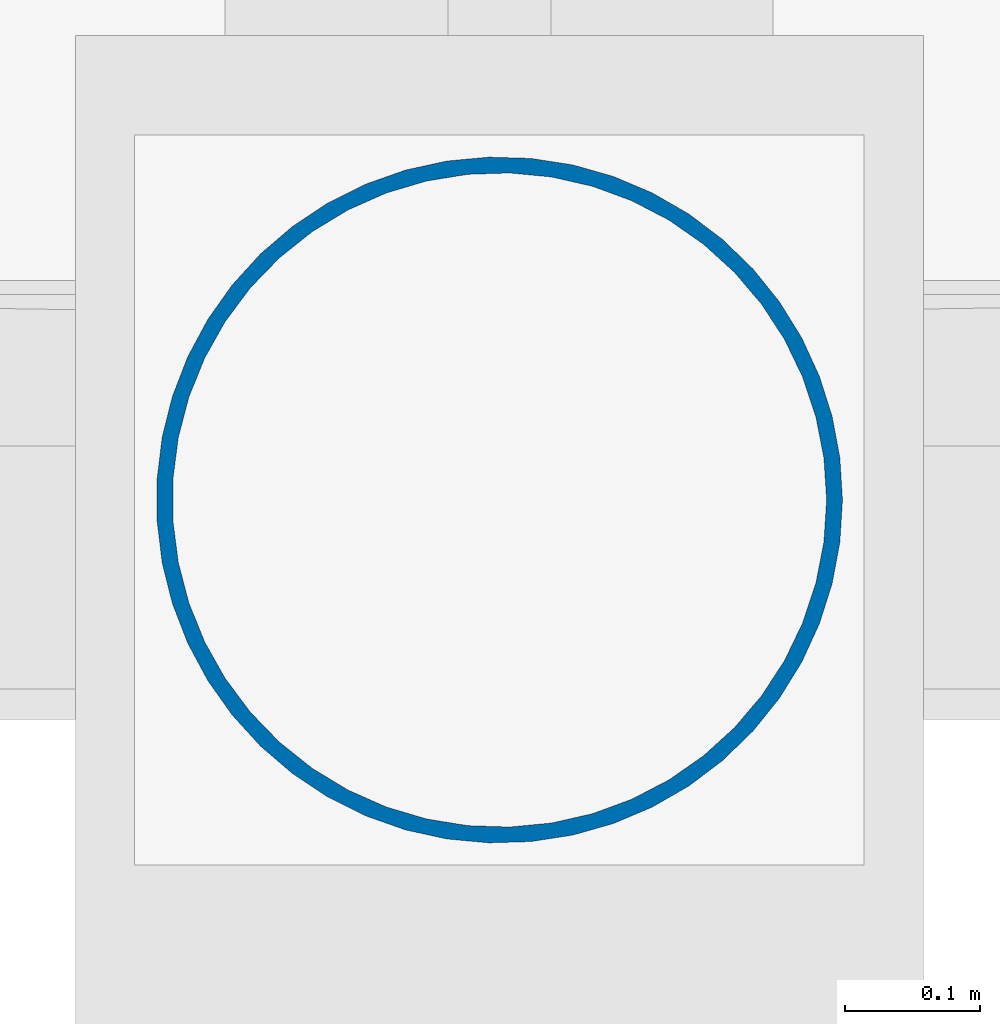
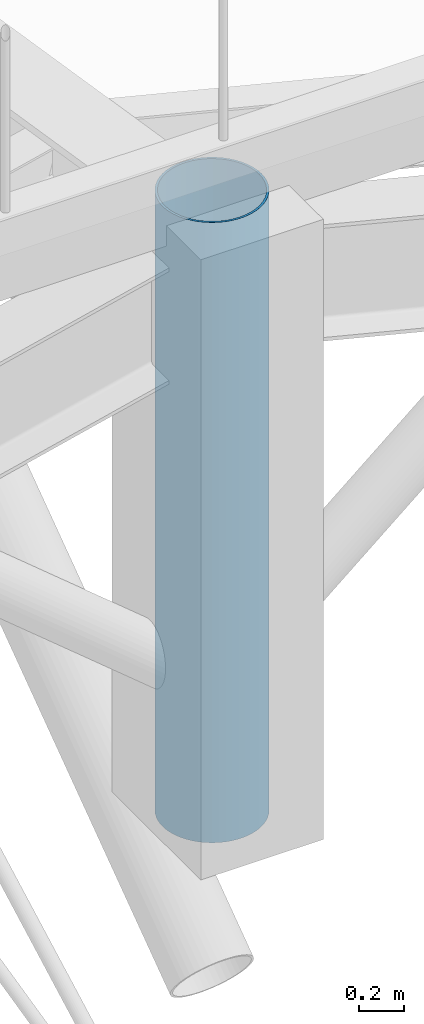
# One storey, part 6 of 43: 1 column.
"""IFC4 building model written with IfcOpenShell, lengths in metres."""

from ifc_helpers import new_model, si_unit, direction, frame, origin, origin_2d, place, context, subcontext, project, spatial, hollow_circle, extrude, material, material_profile, profile_set, type_object, element, save


model = new_model("IFC4")

# Units and contexts
model_context = context("Model", 3, precision=1e-05, world=origin(), true_north=direction((0.0, 1.0)))
body_context = subcontext(model_context, "Body", "Model", "MODEL_VIEW")
ifc_project = project(units=[si_unit("LENGTHUNIT", "METRE"), si_unit("AREAUNIT", "SQUARE_METRE"), si_unit("VOLUMEUNIT", "CUBIC_METRE"), si_unit("PLANEANGLEUNIT", "RADIAN"), si_unit("MASSUNIT", "GRAM", prefix="KILO")], contexts=[model_context])

# Site, building, storey
site_placement = place(None, origin())
site = spatial("IfcSite", under=ifc_project, at=site_placement, CompositionType="ELEMENT")
building_placement = place(site_placement, origin())
building = spatial("IfcBuilding", under=site, at=building_placement, Name="Caurita Quay Ferry Terminal", CompositionType="ELEMENT")
storey_placement = place(building_placement, frame((0.0, 0.0, 14.10009765625)))
storey = spatial("IfcBuildingStorey", under=building, at=storey_placement, Name="L03", CompositionType="ELEMENT", Elevation=14.10009765625)

# Column
ifc_material = material(Name="Hollow structural steel ASTM A500 Gr. C", Category="steel")
ifc_material_profile = material_profile(ifc_material, hollow_circle(Radius=0.25390625, WallThickness=0.01171875, at=origin_2d()), Name="HSS20.000X0.500")
ifc_profile_set = profile_set([ifc_material_profile], Name="Hollow structural steel ASTM A500 Gr. C")
column_type = type_object("IfcColumnType", Name="COL-MST-01", PredefinedType="COLUMN", material=ifc_profile_set)
column_placement = place(storey_placement, frame((121.199951171875, 34.60009765625, 0.0), z_axis=(0.0, 0.0, 1.0), x_axis=(1.0, 0.0, 0.0)))
element("IfcColumn", 1, at=column_placement, inside=storey, type_object=column_type, Name="L03 Column V2-MST-13-S", PredefinedType="COLUMN", context=body_context, shape_type="SweptSolid", body=[
    extrude(hollow_circle(Radius=0.25390625, WallThickness=0.01171875, at=origin_2d()), origin(), (0.0, 0.0, 1.0), 3.35986328125),
])

save(model, "model.ifc")
